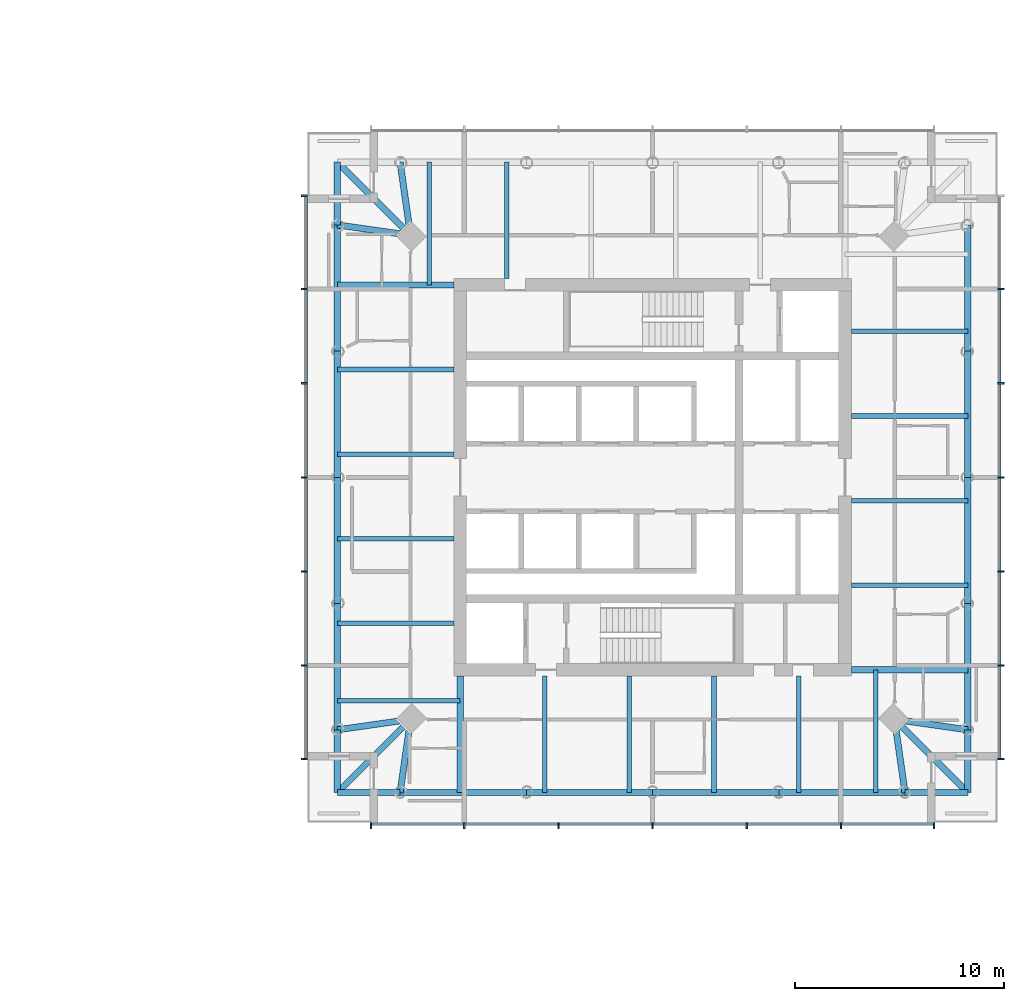
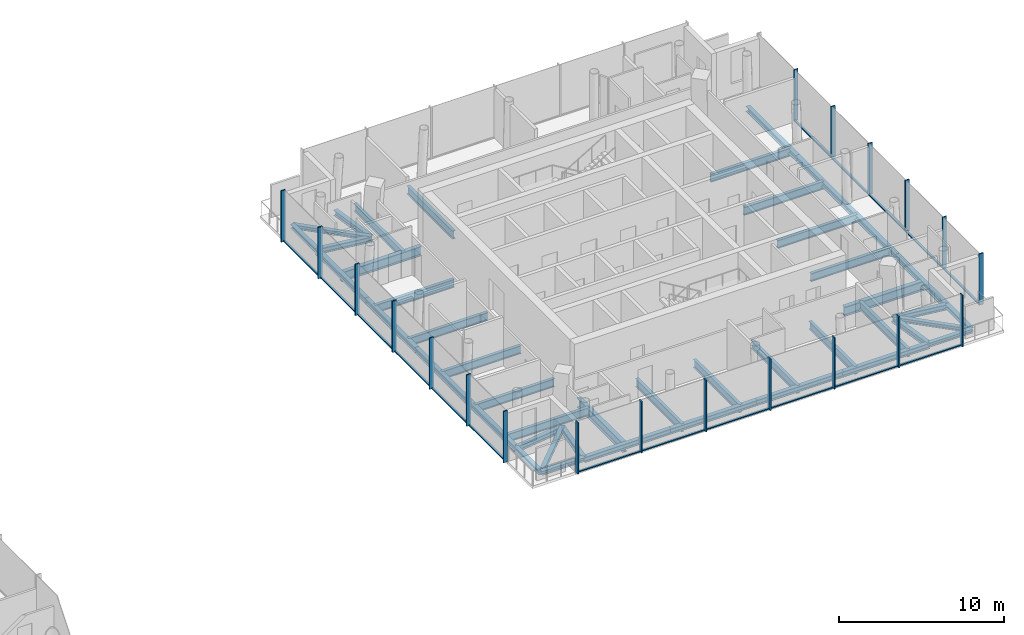
# One storey, part 4 of 27: 45 beams, 37 members, 3 elements without a shape of their own.
"""IFC4 building model written with IfcOpenShell, lengths in metres."""

from ifc_helpers import new_model, si_unit, direction, frame, origin, origin_2d, place, context, subcontext, project, spatial, rectangle, i_section, extrude, material, material_profile, profile_set, type_object, element, aggregate, save


model = new_model("IFC4")

# Units and contexts
model_context = context("Model", 3, precision=1e-05, world=origin(), true_north=direction((0.0, 1.0)))
body_context = subcontext(model_context, "Body", "Model", "MODEL_VIEW")
ifc_project = project(units=[si_unit("LENGTHUNIT", "METRE"), si_unit("AREAUNIT", "SQUARE_METRE"), si_unit("VOLUMEUNIT", "CUBIC_METRE"), si_unit("PLANEANGLEUNIT", "RADIAN"), si_unit("MASSUNIT", "GRAM", prefix="KILO")], contexts=[model_context])

# Site, building, storey
site_placement = place(None, origin())
site = spatial("IfcSite", under=ifc_project, at=site_placement, CompositionType="ELEMENT")
building_placement = place(site_placement, origin())
building = spatial("IfcBuilding", under=site, at=building_placement, Name="Ostroluk Exchange", CompositionType="ELEMENT")
storey_placement = place(building_placement, frame((0.0, 0.0, 112.199951171875)))
storey = spatial("IfcBuildingStorey", under=building, at=storey_placement, Name="L28", CompositionType="ELEMENT", Elevation=112.199951171875)

# Beams
ifc_material_1 = material(Name="Steel S355", Category="steel")
ifc_material_profile_1 = material_profile(ifc_material_1, i_section(OverallWidth=0.300048828125, OverallDepth=0.300048828125, WebThickness=0.010986328125, FlangeThickness=0.01904296875, FilletRadius=0.027099609375, at=origin_2d()), Name="HEB 300")
ifc_profile_set_1 = profile_set([ifc_material_profile_1], Name="Steel S355")
beam_type_1 = type_object("IfcBeamType", Name="Balcony beam HEB 300", PredefinedType="BEAM", material=ifc_profile_set_1)
beam_1_placement = place(storey_placement, frame((101.93115234375, 58.06884765625, -0.349853515625), z_axis=(0.0, 1.0, 0.0), x_axis=(-1.0, 0.0, 0.0)))
element("IfcBeam", 1, at=beam_1_placement, inside=storey, type_object=beam_type_1, Name="T2 north balcony beam b", PredefinedType="BEAM", context=body_context, shape_type="SweptSolid", body=[
    extrude(i_section(OverallWidth=0.300048828125, OverallDepth=0.300048828125, WebThickness=0.010986328125, FlangeThickness=0.01904296875, FilletRadius=0.027099609375, at=origin_2d()), origin(), (0.0, 0.0, 1.0), 3.0),
])
beam_2_placement = place(storey_placement, frame((105.43115234375, 57.56884765625, -0.349853515625), z_axis=(-0.707106781187, 0.707106781187, 0.0), x_axis=(-0.707106781187, -0.707106781187, 0.0)))
element("IfcBeam", 2, at=beam_2_placement, inside=storey, type_object=beam_type_1, Name="T2 north balcony beam c", PredefinedType="BEAM", context=body_context, shape_type="SweptSolid", body=[
    extrude(i_section(OverallWidth=0.300048828125, OverallDepth=0.300048828125, WebThickness=0.010986328125, FlangeThickness=0.01904296875, FilletRadius=0.027099609375, at=origin_2d()), origin(), (0.0, 0.0, 1.0), 4.94970703125),
])
for number, where, z_axis, x_axis, name in (
    (3, (101.93115234375, 33.93115234375, -0.349853515625), (0.0, -1.0, 0.0), (1.0, 0.0, 0.0), "T2 west balcony beam a"),
    (4, (104.93115234375, 30.93115234375, -0.349853515625), (-1.0, 0.0, 0.0), (0.0, -1.0, 0.0), "T2 west balcony beam b"),
):
    element("IfcBeam", number, at=place(storey_placement, frame(where, z_axis=z_axis, x_axis=x_axis)), inside=storey, type_object=beam_type_1, Name=name, PredefinedType="BEAM", context=body_context, shape_type="SweptSolid", body=[
        extrude(i_section(OverallWidth=0.300048828125, OverallDepth=0.300048828125, WebThickness=0.010986328125, FlangeThickness=0.01904296875, FilletRadius=0.027099609375, at=origin_2d()), origin(), (0.0, 0.0, 1.0), 3.0),
    ])
beam_3_placement = place(storey_placement, frame((105.43115234375, 34.43115234375, -0.349853515625), z_axis=(-0.707106781187, -0.707106781187, 0.0), x_axis=(0.707106781187, -0.707106781187, 0.0)))
element("IfcBeam", 5, at=beam_3_placement, inside=storey, type_object=beam_type_1, Name="T2 west balcony beam c", PredefinedType="BEAM", context=body_context, shape_type="SweptSolid", body=[
    extrude(i_section(OverallWidth=0.300048828125, OverallDepth=0.300048828125, WebThickness=0.010986328125, FlangeThickness=0.01904296875, FilletRadius=0.027099609375, at=origin_2d()), origin(), (0.0, 0.0, 1.0), 4.94970703125),
])
for number, where, z_axis, x_axis, name in (
    (6, (129.06884765625, 30.93115234375, -0.349853515625), (1.0, 0.0, 0.0), (0.0, 1.0, 0.0), "T2 south balcony beam a"),
    (7, (132.06884765625, 33.93115234375, -0.349853515625), (0.0, -1.0, 0.0), (1.0, 0.0, 0.0), "T2 south balcony beam b"),
):
    element("IfcBeam", number, at=place(storey_placement, frame(where, z_axis=z_axis, x_axis=x_axis)), inside=storey, type_object=beam_type_1, Name=name, PredefinedType="BEAM", context=body_context, shape_type="SweptSolid", body=[
        extrude(i_section(OverallWidth=0.300048828125, OverallDepth=0.300048828125, WebThickness=0.010986328125, FlangeThickness=0.01904296875, FilletRadius=0.027099609375, at=origin_2d()), origin(), (0.0, 0.0, 1.0), 3.0),
    ])
beam_4_placement = place(storey_placement, frame((128.56884765625, 34.43115234375, -0.349853515625), z_axis=(0.707106781187, -0.707106781187, 0.0), x_axis=(0.707106781187, 0.707106781187, 0.0)))
element("IfcBeam", 8, at=beam_4_placement, inside=storey, type_object=beam_type_1, Name="T2 south balcony beam c", PredefinedType="BEAM", context=body_context, shape_type="SweptSolid", body=[
    extrude(i_section(OverallWidth=0.300048828125, OverallDepth=0.300048828125, WebThickness=0.010986328125, FlangeThickness=0.01904296875, FilletRadius=0.027099609375, at=origin_2d()), origin(), (0.0, 0.0, 1.0), 4.94970703125),
])
ifc_material_2 = material(Name="Steel S355", Category="steel")
ifc_material_profile_2 = material_profile(ifc_material_2, i_section(OverallWidth=0.300048828125, OverallDepth=0.39990234375, WebThickness=0.013427734375, FlangeThickness=0.02392578125, FilletRadius=0.027099609375, at=origin_2d()), Name="HEB 400")
ifc_profile_set_2 = profile_set([ifc_material_profile_2], Name="Steel S355")
beam_type_2 = type_object("IfcBeamType", Name="Corner edge beam HEB 400", PredefinedType="SPANDREL", material=ifc_profile_set_2)
for number, where, z_axis, x_axis, name in (
    (9, (105.43115234375, 57.56884765625, -0.39990234375), (-0.141421356237, 0.989949493661, 0.0), (-0.989949493661, -0.141421356237, 0.0), "T2 north corner edge beam a"),
    (10, (105.43115234375, 57.56884765625, -0.39990234375), (-0.989949493661, 0.141421356237, 0.0), (-0.141421356237, -0.989949493661, 0.0), "T2 north corner edge beam b"),
    (11, (105.43115234375, 34.43115234375, -0.39990234375), (-0.989949493661, -0.141421356237, 0.0), (0.141421356237, -0.989949493661, 0.0), "T2 west corner edge beam a"),
    (12, (105.43115234375, 34.43115234375, -0.39990234375), (-0.141421356237, -0.989949493661, 0.0), (0.989949493661, -0.141421356237, 0.0), "T2 west corner edge beam b"),
    (13, (128.56884765625, 34.43115234375, -0.39990234375), (0.141421356237, -0.989949493661, 0.0), (0.989949493661, 0.141421356237, 0.0), "T2 south corner edge beam a"),
    (14, (128.56884765625, 34.43115234375, -0.39990234375), (0.989949493661, -0.141421356237, 0.0), (0.141421356237, 0.989949493661, 0.0), "T2 south corner edge beam b"),
):
    element("IfcBeam", number, at=place(storey_placement, frame(where, z_axis=z_axis, x_axis=x_axis)), inside=storey, type_object=beam_type_2, Name=name, PredefinedType="SPANDREL", context=body_context, shape_type="SweptSolid", body=[
        extrude(i_section(OverallWidth=0.300048828125, OverallDepth=0.39990234375, WebThickness=0.013427734375, FlangeThickness=0.02392578125, FilletRadius=0.027099609375, at=origin_2d()), origin(), (0.0, 0.0, 1.0), 3.53564453125),
    ])
ifc_material_3 = material(Name="Steel S355", Category="steel")
ifc_material_profile_3 = material_profile(ifc_material_3, i_section(OverallWidth=0.219970703125, OverallDepth=0.60009765625, WebThickness=0.011962890625, FlangeThickness=0.01904296875, FilletRadius=0.02392578125, at=origin_2d()), Name="IPE 600")
ifc_profile_set_3 = profile_set([ifc_material_profile_3], Name="Steel S355")
beam_type_3 = type_object("IfcBeamType", Name="Floor beam IPE 600", PredefinedType="BEAM", material=ifc_profile_set_3)
for number, where, z_axis, x_axis, name in (
    (15, (126.5, 40.8447265625, -0.5), (1.0, 0.0, 0.0), (0.0, 1.0, 0.0), "T2 east floor beam 1"),
    (16, (126.5, 44.8896484375, -0.5), (1.0, 0.0, 0.0), (0.0, 1.0, 0.0), "T2 east floor beam 2"),
    (17, (126.5, 48.9345703125, -0.5), (1.0, 0.0, 0.0), (0.0, 1.0, 0.0), "T2 east floor beam 3"),
    (18, (126.5, 52.979248046875, -0.5), (1.0, 0.0, 0.0), (0.0, 1.0, 0.0), "T2 east floor beam 4"),
    (19, (110.020751953125, 55.5, -0.5), (0.0, 1.0, 0.0), (-1.0, 0.0, 0.0), "T2 north floor beam 4"),
):
    element("IfcBeam", number, at=place(storey_placement, frame(where, z_axis=z_axis, x_axis=x_axis)), inside=storey, type_object=beam_type_3, Name=name, PredefinedType="BEAM", context=body_context, shape_type="SweptSolid", body=[
        extrude(i_section(OverallWidth=0.219970703125, OverallDepth=0.60009765625, WebThickness=0.011962890625, FlangeThickness=0.01904296875, FilletRadius=0.02392578125, at=origin_2d()), origin(), (0.0, 0.0, 1.0), 5.56884765625),
    ])
beam_5_placement = place(storey_placement, frame((106.3310546875, 55.199951171875, -0.5), z_axis=(0.0, 1.0, 0.0), x_axis=(-1.0, 0.0, 0.0)))
element("IfcBeam", 20, at=beam_5_placement, inside=storey, type_object=beam_type_3, Name="T2 north floor beam 5", PredefinedType="BEAM", context=body_context, shape_type="SweptSolid", body=[
    extrude(i_section(OverallWidth=0.219970703125, OverallDepth=0.60009765625, WebThickness=0.011962890625, FlangeThickness=0.01904296875, FilletRadius=0.02392578125, at=origin_2d()), origin(), (0.0, 0.0, 1.0), 5.868896484375),
])
for number, where, z_axis, x_axis, name in (
    (21, (107.5, 51.1552734375, -0.5), (-1.0, 0.0, 0.0), (0.0, -1.0, 0.0), "T2 west floor beam 1"),
    (22, (107.5, 47.1103515625, -0.5), (-1.0, 0.0, 0.0), (0.0, -1.0, 0.0), "T2 west floor beam 2"),
    (23, (107.5, 43.0654296875, -0.5), (-1.0, 0.0, 0.0), (0.0, -1.0, 0.0), "T2 west floor beam 3"),
    (24, (107.5, 39.020751953125, -0.5), (-1.0, 0.0, 0.0), (0.0, -1.0, 0.0), "T2 west floor beam 4"),
):
    element("IfcBeam", number, at=place(storey_placement, frame(where, z_axis=z_axis, x_axis=x_axis)), inside=storey, type_object=beam_type_3, Name=name, PredefinedType="BEAM", context=body_context, shape_type="SweptSolid", body=[
        extrude(i_section(OverallWidth=0.219970703125, OverallDepth=0.60009765625, WebThickness=0.011962890625, FlangeThickness=0.01904296875, FilletRadius=0.02392578125, at=origin_2d()), origin(), (0.0, 0.0, 1.0), 5.56884765625),
    ])
beam_6_placement = place(storey_placement, frame((107.800048828125, 35.3310546875, -0.5), z_axis=(-1.0, 0.0, 0.0), x_axis=(0.0, -1.0, 0.0)))
element("IfcBeam", 25, at=beam_6_placement, inside=storey, type_object=beam_type_3, Name="T2 west floor beam 5", PredefinedType="BEAM", context=body_context, shape_type="SweptSolid", body=[
    extrude(i_section(OverallWidth=0.219970703125, OverallDepth=0.60009765625, WebThickness=0.011962890625, FlangeThickness=0.01904296875, FilletRadius=0.02392578125, at=origin_2d()), origin(), (0.0, 0.0, 1.0), 5.868896484375),
])
for number, where, z_axis, x_axis, name in (
    (26, (111.8447265625, 36.5, -0.5), (0.0, -1.0, 0.0), (1.0, 0.0, 0.0), "T2 south floor beam 1"),
    (27, (115.8896484375, 36.5, -0.5), (0.0, -1.0, 0.0), (1.0, 0.0, 0.0), "T2 south floor beam 2"),
    (28, (119.9345703125, 36.5, -0.5), (0.0, -1.0, 0.0), (1.0, 0.0, 0.0), "T2 south floor beam 3"),
    (29, (123.979248046875, 36.5, -0.5), (0.0, -1.0, 0.0), (1.0, 0.0, 0.0), "T2 south floor beam 4"),
):
    element("IfcBeam", number, at=place(storey_placement, frame(where, z_axis=z_axis, x_axis=x_axis)), inside=storey, type_object=beam_type_3, Name=name, PredefinedType="BEAM", context=body_context, shape_type="SweptSolid", body=[
        extrude(i_section(OverallWidth=0.219970703125, OverallDepth=0.60009765625, WebThickness=0.011962890625, FlangeThickness=0.01904296875, FilletRadius=0.02392578125, at=origin_2d()), origin(), (0.0, 0.0, 1.0), 5.56884765625),
    ])
beam_7_placement = place(storey_placement, frame((127.6689453125, 36.800048828125, -0.5), z_axis=(0.0, -1.0, 0.0), x_axis=(1.0, 0.0, 0.0)))
element("IfcBeam", 30, at=beam_7_placement, inside=storey, type_object=beam_type_3, Name="T2 south floor beam 5", PredefinedType="BEAM", context=body_context, shape_type="SweptSolid", body=[
    extrude(i_section(OverallWidth=0.219970703125, OverallDepth=0.60009765625, WebThickness=0.011962890625, FlangeThickness=0.01904296875, FilletRadius=0.02392578125, at=origin_2d()), origin(), (0.0, 0.0, 1.0), 5.868896484375),
])
ifc_material_4 = material(Name="Steel S355", Category="steel")
ifc_material_profile_4 = material_profile(ifc_material_4, i_section(OverallWidth=0.300048828125, OverallDepth=0.699951171875, WebThickness=0.01708984375, FlangeThickness=0.031982421875, FilletRadius=0.027099609375, at=origin_2d()), Name="HEB 700")
ifc_profile_set_4 = profile_set([ifc_material_profile_4], Name="Steel S355")
beam_type_4 = type_object("IfcBeamType", Name="Girder HEB 700", PredefinedType="BEAM", material=ifc_profile_set_4)
for number, where, z_axis, x_axis, name in (
    (31, (107.5, 55.199951171875, -0.550048828125), (-1.0, 0.0, 0.0), (0.0, -1.0, 0.0), "T2 north girder"),
    (32, (107.800048828125, 36.5, -0.550048828125), (0.0, -1.0, 0.0), (1.0, 0.0, 0.0), "T2 west girder"),
    (33, (126.5, 36.800048828125, -0.550048828125), (1.0, 0.0, 0.0), (0.0, 1.0, 0.0), "T2 south girder"),
):
    element("IfcBeam", number, at=place(storey_placement, frame(where, z_axis=z_axis, x_axis=x_axis)), inside=storey, type_object=beam_type_4, Name=name, PredefinedType="BEAM", context=body_context, shape_type="SweptSolid", body=[
        extrude(i_section(OverallWidth=0.300048828125, OverallDepth=0.699951171875, WebThickness=0.01708984375, FlangeThickness=0.031982421875, FilletRadius=0.027099609375, at=origin_2d()), origin(), (0.0, 0.0, 1.0), 5.56884765625),
    ])
ifc_material_5 = material(Name="Steel S355", Category="steel")
ifc_material_profile_5 = material_profile(ifc_material_5, i_section(OverallWidth=0.300048828125, OverallDepth=0.39990234375, WebThickness=0.013427734375, FlangeThickness=0.02392578125, FilletRadius=0.027099609375, at=origin_2d()), Name="HEB 400")
ifc_profile_set_5 = profile_set([ifc_material_profile_5], Name="Steel S355")
beam_type_5 = type_object("IfcBeamType", Name="Moment-connected edge beam HEB 400", PredefinedType="SPANDREL", material=ifc_profile_set_5)
for number, where, z_axis, x_axis, name in (
    (34, (132.06884765625, 33.93115234375, -0.39990234375), (0.0, 1.0, 0.0), (-1.0, 0.0, 0.0), "T2 east edge beam 1"),
    (35, (132.06884765625, 39.965576171875, -0.39990234375), (0.0, 1.0, 0.0), (-1.0, 0.0, 0.0), "T2 east edge beam 2"),
    (36, (132.06884765625, 46.0, -0.39990234375), (0.0, 1.0, 0.0), (-1.0, 0.0, 0.0), "T2 east edge beam 3"),
    (37, (132.06884765625, 52.034423828125, -0.39990234375), (0.0, 1.0, 0.0), (-1.0, 0.0, 0.0), "T2 east edge beam 4"),
    (38, (101.93115234375, 58.06884765625, -0.39990234375), (0.0, -1.0, 0.0), (1.0, 0.0, 0.0), "T2 west edge beam 1"),
    (39, (101.93115234375, 52.034423828125, -0.39990234375), (0.0, -1.0, 0.0), (1.0, 0.0, 0.0), "T2 west edge beam 2"),
    (40, (101.93115234375, 46.0, -0.39990234375), (0.0, -1.0, 0.0), (1.0, 0.0, 0.0), "T2 west edge beam 3"),
    (41, (101.93115234375, 39.965576171875, -0.39990234375), (0.0, -1.0, 0.0), (1.0, 0.0, 0.0), "T2 west edge beam 4"),
    (42, (104.93115234375, 30.93115234375, -0.39990234375), (1.0, 0.0, 0.0), (0.0, 1.0, 0.0), "T2 south edge beam 1"),
    (43, (110.965576171875, 30.93115234375, -0.39990234375), (1.0, 0.0, 0.0), (0.0, 1.0, 0.0), "T2 south edge beam 2"),
    (44, (117.0, 30.93115234375, -0.39990234375), (1.0, 0.0, 0.0), (0.0, 1.0, 0.0), "T2 south edge beam 3"),
    (45, (123.034423828125, 30.93115234375, -0.39990234375), (1.0, 0.0, 0.0), (0.0, 1.0, 0.0), "T2 south edge beam 4"),
):
    element("IfcBeam", number, at=place(storey_placement, frame(where, z_axis=z_axis, x_axis=x_axis)), inside=storey, type_object=beam_type_5, Name=name, PredefinedType="SPANDREL", context=body_context, shape_type="SweptSolid", body=[
        extrude(i_section(OverallWidth=0.300048828125, OverallDepth=0.39990234375, WebThickness=0.013427734375, FlangeThickness=0.02392578125, FilletRadius=0.027099609375, at=origin_2d()), origin(), (0.0, 0.0, 1.0), 6.034423828125),
    ])

# Curtain wall, members
ifc_material_6 = material(Name="Laminated clear glass", Category="glass")
curtain_wall_type = type_object("IfcCurtainWallType", Name="Hotel guest floor facade", PredefinedType="USERDEFINED", material=ifc_material_6)
curtain_wall_1_placement = place(storey_placement, origin())
curtain_wall_1 = element("IfcCurtainWall", 46, at=curtain_wall_1_placement, inside=storey, type_object=curtain_wall_type, Name="Hotel tower south facade L28", ObjectType="UNITISED CURTAIN WALL", PredefinedType="USERDEFINED")
ifc_material_7 = material(Name="Aluminium mullion", Category="aluminium")
ifc_material_profile_6 = material_profile(ifc_material_7, rectangle(XDim=0.14990234375, YDim=0.080078125, at=origin_2d()), Name="Sill transom 80 x 150")
ifc_profile_set_6 = profile_set([ifc_material_profile_6], Name="Aluminium mullion")
member_type_1 = type_object("IfcMemberType", Name="Sill transom 80 x 150", PredefinedType="USERDEFINED", material=ifc_profile_set_6)
member_1_placement = place(storey_placement, frame((103.580078125, 29.425048828125, 0.0400390625), z_axis=(1.0, 0.0, 0.0), x_axis=(0.0, 1.0, 0.0)))
member_1 = element("IfcMember", 47, at=member_1_placement, type_object=member_type_1, Name="CW-H1 transom 1.1", ObjectType="TRANSOM", PredefinedType="USERDEFINED", context=body_context, shape_type="SweptSolid", body=[
    extrude(rectangle(XDim=0.14990234375, YDim=0.080078125, at=origin_2d()), origin(), (0.0, 0.0, 1.0), 4.3798828125),
])
member_2_placement = place(storey_placement, frame((108.0400390625, 29.425048828125, 0.0400390625), z_axis=(1.0, 0.0, 0.0), x_axis=(0.0, 1.0, 0.0)))
member_2 = element("IfcMember", 48, at=member_2_placement, type_object=member_type_1, Name="CW-H1 transom 2.1", ObjectType="TRANSOM", PredefinedType="USERDEFINED", context=body_context, shape_type="SweptSolid", body=[
    extrude(rectangle(XDim=0.14990234375, YDim=0.080078125, at=origin_2d()), origin(), (0.0, 0.0, 1.0), 4.419921875),
])
member_3_placement = place(storey_placement, frame((112.5400390625, 29.425048828125, 0.0400390625), z_axis=(1.0, 0.0, 0.0), x_axis=(0.0, 1.0, 0.0)))
member_3 = element("IfcMember", 49, at=member_3_placement, type_object=member_type_1, Name="CW-H1 transom 3.1", ObjectType="TRANSOM", PredefinedType="USERDEFINED", context=body_context, shape_type="SweptSolid", body=[
    extrude(rectangle(XDim=0.14990234375, YDim=0.080078125, at=origin_2d()), origin(), (0.0, 0.0, 1.0), 4.419921875),
])
member_4_placement = place(storey_placement, frame((117.0400390625, 29.425048828125, 0.0400390625), z_axis=(1.0, 0.0, 0.0), x_axis=(0.0, 1.0, 0.0)))
member_4 = element("IfcMember", 50, at=member_4_placement, type_object=member_type_1, Name="CW-H1 transom 4.1", ObjectType="TRANSOM", PredefinedType="USERDEFINED", context=body_context, shape_type="SweptSolid", body=[
    extrude(rectangle(XDim=0.14990234375, YDim=0.080078125, at=origin_2d()), origin(), (0.0, 0.0, 1.0), 4.419921875),
])
member_5_placement = place(storey_placement, frame((121.5400390625, 29.425048828125, 0.0400390625), z_axis=(1.0, 0.0, 0.0), x_axis=(0.0, 1.0, 0.0)))
member_5 = element("IfcMember", 51, at=member_5_placement, type_object=member_type_1, Name="CW-H1 transom 5.1", ObjectType="TRANSOM", PredefinedType="USERDEFINED", context=body_context, shape_type="SweptSolid", body=[
    extrude(rectangle(XDim=0.14990234375, YDim=0.080078125, at=origin_2d()), origin(), (0.0, 0.0, 1.0), 4.419921875),
])
member_6_placement = place(storey_placement, frame((126.0400390625, 29.425048828125, 0.0400390625), z_axis=(1.0, 0.0, 0.0), x_axis=(0.0, 1.0, 0.0)))
member_6 = element("IfcMember", 52, at=member_6_placement, type_object=member_type_1, Name="CW-H1 transom 6.1", ObjectType="TRANSOM", PredefinedType="USERDEFINED", context=body_context, shape_type="SweptSolid", body=[
    extrude(rectangle(XDim=0.14990234375, YDim=0.080078125, at=origin_2d()), origin(), (0.0, 0.0, 1.0), 4.3798828125),
])

curtain_wall_2_placement = place(storey_placement, origin())
curtain_wall_2 = element("IfcCurtainWall", 53, at=curtain_wall_2_placement, inside=storey, type_object=curtain_wall_type, Name="Hotel tower east facade L28", ObjectType="UNITISED CURTAIN WALL", PredefinedType="USERDEFINED")
member_7_placement = place(storey_placement, frame((133.574951171875, 32.580078125, 0.0400390625), z_axis=(0.0, 1.0, 0.0), x_axis=(-1.0, 0.0, 0.0)))
member_7 = element("IfcMember", 54, at=member_7_placement, type_object=member_type_1, Name="CW-H1 transom 1.1", ObjectType="TRANSOM", PredefinedType="USERDEFINED", context=body_context, shape_type="SweptSolid", body=[
    extrude(rectangle(XDim=0.14990234375, YDim=0.080078125, at=origin_2d()), origin(), (0.0, 0.0, 1.0), 4.3798828125),
])
member_8_placement = place(storey_placement, frame((133.574951171875, 37.0400390625, 0.0400390625), z_axis=(0.0, 1.0, 0.0), x_axis=(-1.0, 0.0, 0.0)))
member_8 = element("IfcMember", 55, at=member_8_placement, type_object=member_type_1, Name="CW-H1 transom 2.1", ObjectType="TRANSOM", PredefinedType="USERDEFINED", context=body_context, shape_type="SweptSolid", body=[
    extrude(rectangle(XDim=0.14990234375, YDim=0.080078125, at=origin_2d()), origin(), (0.0, 0.0, 1.0), 4.419921875),
])
member_9_placement = place(storey_placement, frame((133.574951171875, 41.5400390625, 0.0400390625), z_axis=(0.0, 1.0, 0.0), x_axis=(-1.0, 0.0, 0.0)))
member_9 = element("IfcMember", 56, at=member_9_placement, type_object=member_type_1, Name="CW-H1 transom 3.1", ObjectType="TRANSOM", PredefinedType="USERDEFINED", context=body_context, shape_type="SweptSolid", body=[
    extrude(rectangle(XDim=0.14990234375, YDim=0.080078125, at=origin_2d()), origin(), (0.0, 0.0, 1.0), 4.419921875),
])
member_10_placement = place(storey_placement, frame((133.574951171875, 46.0400390625, 0.0400390625), z_axis=(0.0, 1.0, 0.0), x_axis=(-1.0, 0.0, 0.0)))
member_10 = element("IfcMember", 57, at=member_10_placement, type_object=member_type_1, Name="CW-H1 transom 4.1", ObjectType="TRANSOM", PredefinedType="USERDEFINED", context=body_context, shape_type="SweptSolid", body=[
    extrude(rectangle(XDim=0.14990234375, YDim=0.080078125, at=origin_2d()), origin(), (0.0, 0.0, 1.0), 4.419921875),
])
member_11_placement = place(storey_placement, frame((133.574951171875, 50.5400390625, 0.0400390625), z_axis=(0.0, 1.0, 0.0), x_axis=(-1.0, 0.0, 0.0)))
member_11 = element("IfcMember", 58, at=member_11_placement, type_object=member_type_1, Name="CW-H1 transom 5.1", ObjectType="TRANSOM", PredefinedType="USERDEFINED", context=body_context, shape_type="SweptSolid", body=[
    extrude(rectangle(XDim=0.14990234375, YDim=0.080078125, at=origin_2d()), origin(), (0.0, 0.0, 1.0), 4.419921875),
])

curtain_wall_3_placement = place(storey_placement, origin())
curtain_wall_3 = element("IfcCurtainWall", 59, at=curtain_wall_3_placement, inside=storey, type_object=curtain_wall_type, Name="Hotel tower west facade L28", ObjectType="UNITISED CURTAIN WALL", PredefinedType="USERDEFINED")
member_12_placement = place(storey_placement, frame((100.425048828125, 59.419921875, 0.0400390625), z_axis=(0.0, -1.0, 0.0), x_axis=(1.0, 0.0, 0.0)))
member_12 = element("IfcMember", 60, at=member_12_placement, type_object=member_type_1, Name="CW-H1 transom 1.1", ObjectType="TRANSOM", PredefinedType="USERDEFINED", context=body_context, shape_type="SweptSolid", body=[
    extrude(rectangle(XDim=0.14990234375, YDim=0.080078125, at=origin_2d()), origin(), (0.0, 0.0, 1.0), 4.3798828125),
])
member_13_placement = place(storey_placement, frame((100.425048828125, 54.9599609375, 0.0400390625), z_axis=(0.0, -1.0, 0.0), x_axis=(1.0, 0.0, 0.0)))
member_13 = element("IfcMember", 61, at=member_13_placement, type_object=member_type_1, Name="CW-H1 transom 2.1", ObjectType="TRANSOM", PredefinedType="USERDEFINED", context=body_context, shape_type="SweptSolid", body=[
    extrude(rectangle(XDim=0.14990234375, YDim=0.080078125, at=origin_2d()), origin(), (0.0, 0.0, 1.0), 4.419921875),
])
member_14_placement = place(storey_placement, frame((100.425048828125, 50.4599609375, 0.0400390625), z_axis=(0.0, -1.0, 0.0), x_axis=(1.0, 0.0, 0.0)))
member_14 = element("IfcMember", 62, at=member_14_placement, type_object=member_type_1, Name="CW-H1 transom 3.1", ObjectType="TRANSOM", PredefinedType="USERDEFINED", context=body_context, shape_type="SweptSolid", body=[
    extrude(rectangle(XDim=0.14990234375, YDim=0.080078125, at=origin_2d()), origin(), (0.0, 0.0, 1.0), 4.419921875),
])
member_15_placement = place(storey_placement, frame((100.425048828125, 45.9599609375, 0.0400390625), z_axis=(0.0, -1.0, 0.0), x_axis=(1.0, 0.0, 0.0)))
member_15 = element("IfcMember", 63, at=member_15_placement, type_object=member_type_1, Name="CW-H1 transom 4.1", ObjectType="TRANSOM", PredefinedType="USERDEFINED", context=body_context, shape_type="SweptSolid", body=[
    extrude(rectangle(XDim=0.14990234375, YDim=0.080078125, at=origin_2d()), origin(), (0.0, 0.0, 1.0), 4.419921875),
])
member_16_placement = place(storey_placement, frame((100.425048828125, 41.4599609375, 0.0400390625), z_axis=(0.0, -1.0, 0.0), x_axis=(1.0, 0.0, 0.0)))
member_16 = element("IfcMember", 64, at=member_16_placement, type_object=member_type_1, Name="CW-H1 transom 5.1", ObjectType="TRANSOM", PredefinedType="USERDEFINED", context=body_context, shape_type="SweptSolid", body=[
    extrude(rectangle(XDim=0.14990234375, YDim=0.080078125, at=origin_2d()), origin(), (0.0, 0.0, 1.0), 4.419921875),
])
member_17_placement = place(storey_placement, frame((100.425048828125, 36.9599609375, 0.0400390625), z_axis=(0.0, -1.0, 0.0), x_axis=(1.0, 0.0, 0.0)))
member_17 = element("IfcMember", 65, at=member_17_placement, type_object=member_type_1, Name="CW-H1 transom 6.1", ObjectType="TRANSOM", PredefinedType="USERDEFINED", context=body_context, shape_type="SweptSolid", body=[
    extrude(rectangle(XDim=0.14990234375, YDim=0.080078125, at=origin_2d()), origin(), (0.0, 0.0, 1.0), 4.3798828125),
])

# Member
ifc_material_8 = material(Name="Aluminium mullion with limestone facing", Category="masonry")
ifc_material_profile_7 = material_profile(ifc_material_8, rectangle(XDim=0.300048828125, YDim=0.080078125, at=origin_2d()), Name="Tracery mullion 80 x 300")
ifc_profile_set_7 = profile_set([ifc_material_profile_7], Name="Aluminium mullion with limestone facing")
member_type_2 = type_object("IfcMemberType", Name="Tracery mullion 80 x 300", PredefinedType="MULLION", material=ifc_profile_set_7)
member_18_placement = place(storey_placement, frame((103.5400390625, 29.35009765625, 0.0), z_axis=(0.0, 0.0, 1.0), x_axis=(0.0, 1.0, 0.0)))
member_18 = element("IfcMember", 66, at=member_18_placement, type_object=member_type_2, Name="CW-H1 mullion 1", PredefinedType="MULLION", context=body_context, shape_type="SweptSolid", body=[
    extrude(rectangle(XDim=0.300048828125, YDim=0.080078125, at=origin_2d()), origin(), (0.0, 0.0, 1.0), 3.800048828125),
])

member_19_placement = place(storey_placement, frame((108.0, 29.35009765625, 0.0), z_axis=(0.0, 0.0, 1.0), x_axis=(0.0, 1.0, 0.0)))
member_19 = element("IfcMember", 67, at=member_19_placement, type_object=member_type_2, Name="CW-H1 mullion 2", PredefinedType="MULLION", context=body_context, shape_type="SweptSolid", body=[
    extrude(rectangle(XDim=0.300048828125, YDim=0.080078125, at=origin_2d()), origin(), (0.0, 0.0, 1.0), 3.800048828125),
])

member_20_placement = place(storey_placement, frame((112.5, 29.35009765625, 0.0), z_axis=(0.0, 0.0, 1.0), x_axis=(0.0, 1.0, 0.0)))
member_20 = element("IfcMember", 68, at=member_20_placement, type_object=member_type_2, Name="CW-H1 mullion 3", PredefinedType="MULLION", context=body_context, shape_type="SweptSolid", body=[
    extrude(rectangle(XDim=0.300048828125, YDim=0.080078125, at=origin_2d()), origin(), (0.0, 0.0, 1.0), 3.800048828125),
])

member_21_placement = place(storey_placement, frame((117.0, 29.35009765625, 0.0), z_axis=(0.0, 0.0, 1.0), x_axis=(0.0, 1.0, 0.0)))
member_21 = element("IfcMember", 69, at=member_21_placement, type_object=member_type_2, Name="CW-H1 mullion 4", PredefinedType="MULLION", context=body_context, shape_type="SweptSolid", body=[
    extrude(rectangle(XDim=0.300048828125, YDim=0.080078125, at=origin_2d()), origin(), (0.0, 0.0, 1.0), 3.800048828125),
])

member_22_placement = place(storey_placement, frame((121.5, 29.35009765625, 0.0), z_axis=(0.0, 0.0, 1.0), x_axis=(0.0, 1.0, 0.0)))
member_22 = element("IfcMember", 70, at=member_22_placement, type_object=member_type_2, Name="CW-H1 mullion 5", PredefinedType="MULLION", context=body_context, shape_type="SweptSolid", body=[
    extrude(rectangle(XDim=0.300048828125, YDim=0.080078125, at=origin_2d()), origin(), (0.0, 0.0, 1.0), 3.800048828125),
])

member_23_placement = place(storey_placement, frame((126.0, 29.35009765625, 0.0), z_axis=(0.0, 0.0, 1.0), x_axis=(0.0, 1.0, 0.0)))
member_23 = element("IfcMember", 71, at=member_23_placement, type_object=member_type_2, Name="CW-H1 mullion 6", PredefinedType="MULLION", context=body_context, shape_type="SweptSolid", body=[
    extrude(rectangle(XDim=0.300048828125, YDim=0.080078125, at=origin_2d()), origin(), (0.0, 0.0, 1.0), 3.800048828125),
])

member_24_placement = place(storey_placement, frame((130.4599609375, 29.35009765625, 0.0), z_axis=(0.0, 0.0, 1.0), x_axis=(0.0, 1.0, 0.0)))
member_24 = element("IfcMember", 72, at=member_24_placement, type_object=member_type_2, Name="CW-H1 mullion 7", PredefinedType="MULLION", context=body_context, shape_type="SweptSolid", body=[
    extrude(rectangle(XDim=0.300048828125, YDim=0.080078125, at=origin_2d()), origin(), (0.0, 0.0, 1.0), 3.800048828125),
])

aggregate(curtain_wall_1, [member_18, member_19, member_20, member_21, member_22, member_23, member_24, member_1, member_2, member_3, member_4, member_5, member_6])

member_25_placement = place(storey_placement, frame((133.64990234375, 32.5400390625, 0.0), z_axis=(0.0, 0.0, 1.0), x_axis=(-1.0, 0.0, 0.0)))
member_25 = element("IfcMember", 73, at=member_25_placement, type_object=member_type_2, Name="CW-H1 mullion 1", PredefinedType="MULLION", context=body_context, shape_type="SweptSolid", body=[
    extrude(rectangle(XDim=0.300048828125, YDim=0.080078125, at=origin_2d()), origin(), (0.0, 0.0, 1.0), 3.800048828125),
])

member_26_placement = place(storey_placement, frame((133.64990234375, 37.0, 0.0), z_axis=(0.0, 0.0, 1.0), x_axis=(-1.0, 0.0, 0.0)))
member_26 = element("IfcMember", 74, at=member_26_placement, type_object=member_type_2, Name="CW-H1 mullion 2", PredefinedType="MULLION", context=body_context, shape_type="SweptSolid", body=[
    extrude(rectangle(XDim=0.300048828125, YDim=0.080078125, at=origin_2d()), origin(), (0.0, 0.0, 1.0), 3.800048828125),
])

member_27_placement = place(storey_placement, frame((133.64990234375, 41.5, 0.0), z_axis=(0.0, 0.0, 1.0), x_axis=(-1.0, 0.0, 0.0)))
member_27 = element("IfcMember", 75, at=member_27_placement, type_object=member_type_2, Name="CW-H1 mullion 3", PredefinedType="MULLION", context=body_context, shape_type="SweptSolid", body=[
    extrude(rectangle(XDim=0.300048828125, YDim=0.080078125, at=origin_2d()), origin(), (0.0, 0.0, 1.0), 3.800048828125),
])

member_28_placement = place(storey_placement, frame((133.64990234375, 46.0, 0.0), z_axis=(0.0, 0.0, 1.0), x_axis=(-1.0, 0.0, 0.0)))
member_28 = element("IfcMember", 76, at=member_28_placement, type_object=member_type_2, Name="CW-H1 mullion 4", PredefinedType="MULLION", context=body_context, shape_type="SweptSolid", body=[
    extrude(rectangle(XDim=0.300048828125, YDim=0.080078125, at=origin_2d()), origin(), (0.0, 0.0, 1.0), 3.800048828125),
])

member_29_placement = place(storey_placement, frame((133.64990234375, 50.5, 0.0), z_axis=(0.0, 0.0, 1.0), x_axis=(-1.0, 0.0, 0.0)))
member_29 = element("IfcMember", 77, at=member_29_placement, type_object=member_type_2, Name="CW-H1 mullion 5", PredefinedType="MULLION", context=body_context, shape_type="SweptSolid", body=[
    extrude(rectangle(XDim=0.300048828125, YDim=0.080078125, at=origin_2d()), origin(), (0.0, 0.0, 1.0), 3.800048828125),
])

member_30_placement = place(storey_placement, frame((133.64990234375, 55.0, 0.0), z_axis=(0.0, 0.0, 1.0), x_axis=(-1.0, 0.0, 0.0)))
member_30 = element("IfcMember", 78, at=member_30_placement, type_object=member_type_2, Name="CW-H1 mullion 6", PredefinedType="MULLION", context=body_context, shape_type="SweptSolid", body=[
    extrude(rectangle(XDim=0.300048828125, YDim=0.080078125, at=origin_2d()), origin(), (0.0, 0.0, 1.0), 3.800048828125),
])

aggregate(curtain_wall_2, [member_25, member_26, member_27, member_28, member_29, member_30, member_7, member_8, member_9, member_10, member_11])

member_31_placement = place(storey_placement, frame((100.35009765625, 59.4599609375, 0.0), z_axis=(0.0, 0.0, 1.0), x_axis=(1.0, 0.0, 0.0)))
member_31 = element("IfcMember", 79, at=member_31_placement, type_object=member_type_2, Name="CW-H1 mullion 1", PredefinedType="MULLION", context=body_context, shape_type="SweptSolid", body=[
    extrude(rectangle(XDim=0.300048828125, YDim=0.080078125, at=origin_2d()), origin(), (0.0, 0.0, 1.0), 3.800048828125),
])

member_32_placement = place(storey_placement, frame((100.35009765625, 55.0, 0.0), z_axis=(0.0, 0.0, 1.0), x_axis=(1.0, 0.0, 0.0)))
member_32 = element("IfcMember", 80, at=member_32_placement, type_object=member_type_2, Name="CW-H1 mullion 2", PredefinedType="MULLION", context=body_context, shape_type="SweptSolid", body=[
    extrude(rectangle(XDim=0.300048828125, YDim=0.080078125, at=origin_2d()), origin(), (0.0, 0.0, 1.0), 3.800048828125),
])

member_33_placement = place(storey_placement, frame((100.35009765625, 50.5, 0.0), z_axis=(0.0, 0.0, 1.0), x_axis=(1.0, 0.0, 0.0)))
member_33 = element("IfcMember", 81, at=member_33_placement, type_object=member_type_2, Name="CW-H1 mullion 3", PredefinedType="MULLION", context=body_context, shape_type="SweptSolid", body=[
    extrude(rectangle(XDim=0.300048828125, YDim=0.080078125, at=origin_2d()), origin(), (0.0, 0.0, 1.0), 3.800048828125),
])

member_34_placement = place(storey_placement, frame((100.35009765625, 46.0, 0.0), z_axis=(0.0, 0.0, 1.0), x_axis=(1.0, 0.0, 0.0)))
member_34 = element("IfcMember", 82, at=member_34_placement, type_object=member_type_2, Name="CW-H1 mullion 4", PredefinedType="MULLION", context=body_context, shape_type="SweptSolid", body=[
    extrude(rectangle(XDim=0.300048828125, YDim=0.080078125, at=origin_2d()), origin(), (0.0, 0.0, 1.0), 3.800048828125),
])

member_35_placement = place(storey_placement, frame((100.35009765625, 41.5, 0.0), z_axis=(0.0, 0.0, 1.0), x_axis=(1.0, 0.0, 0.0)))
member_35 = element("IfcMember", 83, at=member_35_placement, type_object=member_type_2, Name="CW-H1 mullion 5", PredefinedType="MULLION", context=body_context, shape_type="SweptSolid", body=[
    extrude(rectangle(XDim=0.300048828125, YDim=0.080078125, at=origin_2d()), origin(), (0.0, 0.0, 1.0), 3.800048828125),
])

member_36_placement = place(storey_placement, frame((100.35009765625, 37.0, 0.0), z_axis=(0.0, 0.0, 1.0), x_axis=(1.0, 0.0, 0.0)))
member_36 = element("IfcMember", 84, at=member_36_placement, type_object=member_type_2, Name="CW-H1 mullion 6", PredefinedType="MULLION", context=body_context, shape_type="SweptSolid", body=[
    extrude(rectangle(XDim=0.300048828125, YDim=0.080078125, at=origin_2d()), origin(), (0.0, 0.0, 1.0), 3.800048828125),
])

member_37_placement = place(storey_placement, frame((100.35009765625, 32.5400390625, 0.0), z_axis=(0.0, 0.0, 1.0), x_axis=(1.0, 0.0, 0.0)))
member_37 = element("IfcMember", 85, at=member_37_placement, type_object=member_type_2, Name="CW-H1 mullion 7", PredefinedType="MULLION", context=body_context, shape_type="SweptSolid", body=[
    extrude(rectangle(XDim=0.300048828125, YDim=0.080078125, at=origin_2d()), origin(), (0.0, 0.0, 1.0), 3.800048828125),
])

aggregate(curtain_wall_3, [member_31, member_32, member_33, member_34, member_35, member_36, member_37, member_12, member_13, member_14, member_15, member_16, member_17])

save(model, "model.ifc")
